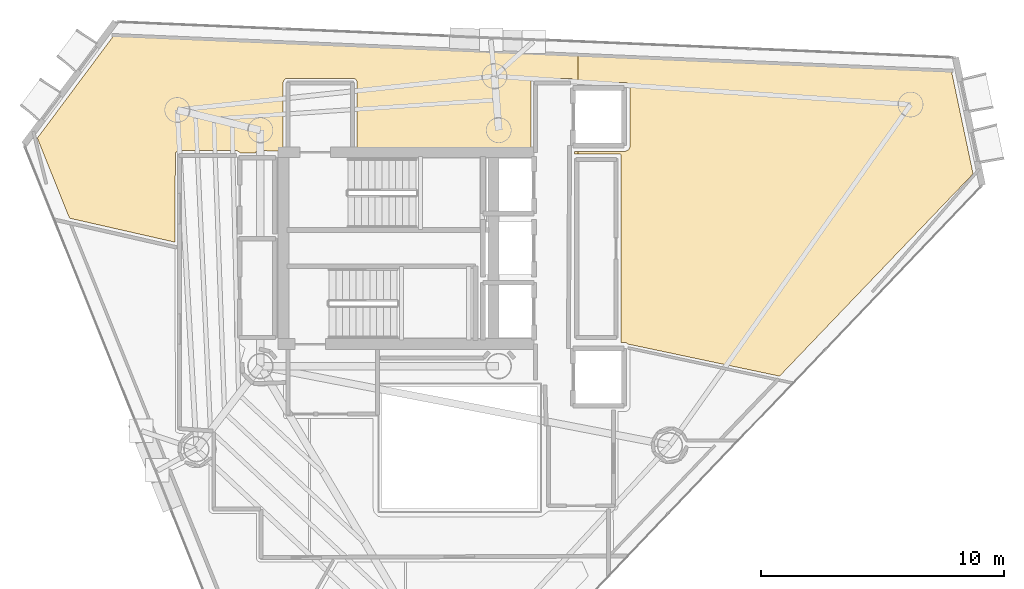
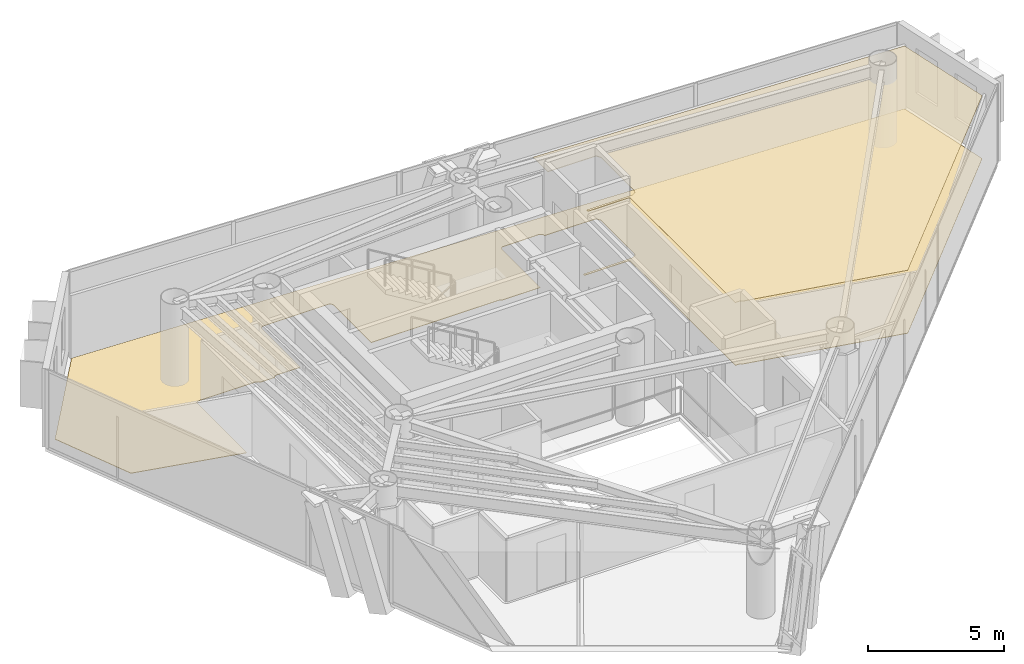
# One storey, part 20 of 21: 2 coverings.
"""IFC4 building model written with IfcOpenShell, lengths in metres."""

from ifc_helpers import new_model, si_unit, direction, frame, origin, place, context, subcontext, project, spatial, polyline, outline, extrude, material, layer, layer_set, type_object, element, save


model = new_model("IFC4")

# Units and contexts
model_context = context("Model", 3, precision=1e-05, world=origin(), true_north=direction((0.0, 1.0)))
body_context = subcontext(model_context, "Body", "Model", "MODEL_VIEW")
ifc_project = project(units=[si_unit("LENGTHUNIT", "METRE"), si_unit("AREAUNIT", "SQUARE_METRE"), si_unit("VOLUMEUNIT", "CUBIC_METRE"), si_unit("PLANEANGLEUNIT", "RADIAN"), si_unit("MASSUNIT", "GRAM", prefix="KILO")], contexts=[model_context])

# Site, building, storey
site_placement = place(None, origin())
site = spatial("IfcSite", under=ifc_project, at=site_placement, CompositionType="ELEMENT")
building_placement = place(site_placement, origin())
building = spatial("IfcBuilding", under=site, at=building_placement, Name="Qianvela Tower", CompositionType="ELEMENT")
storey_placement = place(building_placement, frame((0.0, 0.0, 242.699951171875)))
storey = spatial("IfcBuildingStorey", under=building, at=storey_placement, Name="L62", CompositionType="ELEMENT", Elevation=242.699951171875)

# Coverings
ifc_material_1 = material(Name="Perforated Mineral Acoustic Ceiling Tile")
ifc_layer_1 = layer(ifc_material_1, 0.02490234375)
ifc_layer_set_1 = layer_set([ifc_layer_1], Name="Perforated Mineral Acoustic Ceiling Tile")
covering_type_1 = type_object("IfcCoveringType", Name="COV-CEIL-ACOUSTIC-25", PredefinedType="CEILING", material=ifc_layer_set_1)
covering_1_placement = place(storey_placement, frame((0.0, 0.0, 2.81494140625)))
element("IfcCovering", 1, at=covering_1_placement, inside=storey, type_object=covering_type_1, Name="L62 Acoustic Ceiling Bay 2 Maker Craft Workshop L62-05", PredefinedType="CEILING", context=body_context, shape_type="SweptSolid", body=[
    extrude(outline(polyline([(57.019775390625, 35.943359375), (57.901611328125, 31.7578125), (49.94482421875, 23.439453125), (43.714599609375, 24.75732421875), (43.655029296875, 24.801513671875), (43.64794921875, 24.80615234375), (43.640380859375, 24.81005859375), (43.632568359375, 24.813232421875), (43.62451171875, 24.8154296875), (43.6162109375, 24.81689453125), (43.607666015625, 24.8173828125), (43.42333984375, 24.818115234375), (43.423828125, 24.8193359375), (43.426513671875, 24.826904296875), (43.428466796875, 24.83447265625), (43.4296875, 24.84228515625), (43.429931640625, 24.85009765625), (43.429931640625, 32.5), (43.4296875, 32.5078125), (43.428466796875, 32.515625), (43.426513671875, 32.523193359375), (43.423828125, 32.530517578125), (43.420654296875, 32.53759765625), (43.41650390625, 32.54443359375), (43.411865234375, 32.55078125), (43.406494140625, 32.556640625), (43.40087890625, 32.561767578125), (43.394287109375, 32.56640625), (43.3876953125, 32.570556640625), (43.380615234375, 32.573974609375), (43.373291015625, 32.57666015625), (43.365478515625, 32.57861328125), (43.35791015625, 32.57958984375), (43.35009765625, 32.580078125), (41.65625, 32.580078125), (41.65625, 32.679931640625), (43.580078125, 32.679931640625), (43.587158203125, 32.680419921875), (43.593994140625, 32.68115234375), (43.60107421875, 32.682861328125), (43.607666015625, 32.684814453125), (43.6142578125, 32.687744140625), (43.722412109375, 32.739013671875), (43.729248046875, 32.74267578125), (43.73583984375, 32.746826171875), (43.741943359375, 32.751953125), (43.74755859375, 32.757568359375), (43.75244140625, 32.763427734375), (43.7568359375, 32.77001953125), (43.760498046875, 32.777099609375), (43.763427734375, 32.7841796875), (43.79541015625, 32.873046875), (43.7978515625, 32.8818359375), (43.799560546875, 32.890869140625), (43.800048828125, 32.89990234375), (43.800048828125, 35.300048828125), (43.7998046875, 35.30712890625), (43.798583984375, 35.314208984375), (43.797119140625, 35.3212890625), (43.794921875, 35.328125), (43.7919921875, 35.334716796875), (43.78857421875, 35.341064453125), (43.714599609375, 35.464599609375), (43.710205078125, 35.471435546875), (43.704833984375, 35.477783203125), (43.698974609375, 35.4833984375), (43.692626953125, 35.488525390625), (43.685791015625, 35.492919921875), (43.678466796875, 35.49658203125), (43.670654296875, 35.49951171875), (43.662841796875, 35.501708984375), (43.65478515625, 35.5029296875), (43.646484375, 35.50341796875), (41.65625, 35.518310546875), (41.65625, 36.59619140625), (57.019775390625, 35.943359375)])), origin(), (0.0, 0.0, 1.0), 0.025146484375),
])
ifc_material_2 = material(Name="Engineered Acoustic Oak Timber Flooring", Category="wood")
ifc_layer_2 = layer(ifc_material_2, 0.02001953125)
ifc_layer_set_2 = layer_set([ifc_layer_2], Name="Engineered Acoustic Oak Timber Flooring")
covering_type_2 = type_object("IfcCoveringType", Name="COV-FLOOR-OAK-20", PredefinedType="FLOORING", material=ifc_layer_set_2)
covering_2_placement = place(storey_placement, origin())
element("IfcCovering", 2, at=covering_2_placement, inside=storey, type_object=covering_type_2, Name="L62 Finish Flooring Maker Craft Workshop L62-05", PredefinedType="FLOORING", context=body_context, shape_type="SweptSolid", body=[
    extrude(outline(polyline([(29.5400390625, 32.700439453125), (28.54296875, 32.709716796875), (28.53662109375, 32.70947265625), (28.530029296875, 32.708740234375), (28.4677734375, 32.69921875), (28.460205078125, 32.697509765625), (28.452880859375, 32.6953125), (28.446044921875, 32.6923828125), (28.439208984375, 32.688720703125), (28.432861328125, 32.6845703125), (28.427001953125, 32.6796875), (28.42138671875, 32.674560546875), (28.41650390625, 32.668701171875), (28.412109375, 32.662353515625), (28.408447265625, 32.65576171875), (28.405517578125, 32.648681640625), (28.403076171875, 32.6416015625), (28.4013671875, 32.634033203125), (28.400390625, 32.62646484375), (28.39892578125, 32.609619140625), (27.7626953125, 32.607666015625), (27.759521484375, 32.6201171875), (27.757080078125, 32.62744140625), (27.754150390625, 32.634765625), (27.75048828125, 32.6416015625), (27.74609375, 32.648193359375), (27.7412109375, 32.654296875), (27.735595703125, 32.659912109375), (27.7294921875, 32.6650390625), (27.722900390625, 32.66943359375), (27.716064453125, 32.673095703125), (27.654296875, 32.702392578125), (27.647705078125, 32.705078125), (27.64111328125, 32.707275390625), (27.634033203125, 32.708740234375), (27.627197265625, 32.709716796875), (27.6201171875, 32.7099609375), (25.25, 32.7099609375), (25.2421875, 32.709716796875), (25.234375, 32.70849609375), (25.226806640625, 32.70654296875), (25.219482421875, 32.703857421875), (25.21240234375, 32.70068359375), (25.145751953125, 32.6650390625), (25.13916015625, 32.660888671875), (25.1328125, 32.65625), (25.126953125, 32.651123046875), (25.12158203125, 32.645263671875), (25.116943359375, 32.638916015625), (25.113037109375, 32.63232421875), (25.109619140625, 32.625244140625), (25.10693359375, 32.617919921875), (25.10498046875, 32.6103515625), (25.10400390625, 32.6025390625), (25.103515625, 32.5947265625), (25.09033203125, 28.947509765625), (20.75390625, 29.93359375), (19.429443359375, 33.22509765625), (22.546630859375, 37.408203125), (57.019775390625, 35.943359375), (57.901611328125, 31.7578125), (49.94482421875, 23.439453125), (43.714599609375, 24.75732421875), (43.655029296875, 24.801513671875), (43.64794921875, 24.80615234375), (43.640380859375, 24.81005859375), (43.632568359375, 24.813232421875), (43.62451171875, 24.8154296875), (43.6162109375, 24.81689453125), (43.607666015625, 24.8173828125), (43.42333984375, 24.818115234375), (43.423828125, 24.8193359375), (43.426513671875, 24.826904296875), (43.428466796875, 24.83447265625), (43.4296875, 24.84228515625), (43.429931640625, 24.85009765625), (43.429931640625, 32.5), (43.4296875, 32.5078125), (43.428466796875, 32.515625), (43.426513671875, 32.523193359375), (43.423828125, 32.530517578125), (43.420654296875, 32.53759765625), (43.41650390625, 32.54443359375), (43.411865234375, 32.55078125), (43.406494140625, 32.556640625), (43.40087890625, 32.561767578125), (43.394287109375, 32.56640625), (43.3876953125, 32.570556640625), (43.380615234375, 32.573974609375), (43.373291015625, 32.57666015625), (43.365478515625, 32.57861328125), (43.35791015625, 32.57958984375), (43.35009765625, 32.580078125), (41.52001953125, 32.580078125), (41.52001953125, 32.679931640625), (43.580078125, 32.679931640625), (43.587158203125, 32.680419921875), (43.593994140625, 32.68115234375), (43.60107421875, 32.682861328125), (43.607666015625, 32.684814453125), (43.6142578125, 32.687744140625), (43.722412109375, 32.739013671875), (43.729248046875, 32.74267578125), (43.73583984375, 32.746826171875), (43.741943359375, 32.751953125), (43.74755859375, 32.757568359375), (43.75244140625, 32.763427734375), (43.7568359375, 32.77001953125), (43.760498046875, 32.777099609375), (43.763427734375, 32.7841796875), (43.79541015625, 32.873046875), (43.7978515625, 32.8818359375), (43.799560546875, 32.890869140625), (43.800048828125, 32.89990234375), (43.800048828125, 35.300048828125), (43.7998046875, 35.30712890625), (43.798583984375, 35.314208984375), (43.797119140625, 35.3212890625), (43.794921875, 35.328125), (43.7919921875, 35.334716796875), (43.78857421875, 35.341064453125), (43.714599609375, 35.464599609375), (43.710205078125, 35.471435546875), (43.704833984375, 35.477783203125), (43.698974609375, 35.4833984375), (43.692626953125, 35.488525390625), (43.685791015625, 35.492919921875), (43.678466796875, 35.49658203125), (43.670654296875, 35.49951171875), (43.662841796875, 35.501708984375), (43.65478515625, 35.5029296875), (43.646484375, 35.50341796875), (41.513916015625, 35.519287109375), (41.51025390625, 35.564208984375), (41.50927734375, 35.57177734375), (41.5078125, 35.5791015625), (41.50537109375, 35.586181640625), (41.502197265625, 35.59326171875), (41.49853515625, 35.599853515625), (41.494140625, 35.606201171875), (41.4892578125, 35.612060546875), (41.48388671875, 35.6171875), (41.47802734375, 35.6220703125), (41.4716796875, 35.626220703125), (41.401123046875, 35.668701171875), (41.394775390625, 35.672119140625), (41.387939453125, 35.675048828125), (41.381103515625, 35.67724609375), (41.373779296875, 35.6787109375), (41.36669921875, 35.6796875), (41.359375, 35.679931640625), (39.834716796875, 35.66650390625), (39.8271484375, 35.666015625), (39.8193359375, 35.664794921875), (39.811767578125, 35.662841796875), (39.804443359375, 35.660400390625), (39.797607421875, 35.656982421875), (39.790771484375, 35.65283203125), (39.78466796875, 35.648193359375), (39.77880859375, 35.642822265625), (39.773681640625, 35.63720703125), (39.76904296875, 35.630859375), (39.764892578125, 35.624267578125), (39.7294921875, 35.5576171875), (39.72607421875, 35.550537109375), (39.723388671875, 35.543212890625), (39.721435546875, 35.53564453125), (39.720458984375, 35.52783203125), (39.719970703125, 35.52001953125), (39.719970703125, 32.719970703125), (38.125, 32.719970703125), (38.03369140625, 32.762451171875), (38.025634765625, 32.765625), (38.017333984375, 32.76806640625), (38.0087890625, 32.76953125), (38.0, 32.77001953125), (32.580078125, 32.77001953125), (32.580078125, 35.52001953125), (32.57958984375, 35.52783203125), (32.57861328125, 35.53564453125), (32.57666015625, 35.543212890625), (32.573974609375, 35.550537109375), (32.550537109375, 35.607177734375), (32.547119140625, 35.6142578125), (32.543212890625, 35.62109375), (32.538330078125, 35.627197265625), (32.533203125, 35.633056640625), (32.52734375, 35.638427734375), (32.52099609375, 35.64306640625), (32.514404296875, 35.647216796875), (32.507080078125, 35.650390625), (32.45068359375, 35.673828125), (32.443115234375, 35.676513671875), (32.435546875, 35.678466796875), (32.427490234375, 35.6796875), (32.419677734375, 35.679931640625), (29.662109375, 35.670654296875), (29.65380859375, 35.670166015625), (29.645751953125, 35.668701171875), (29.6376953125, 35.666748046875), (29.630126953125, 35.663818359375), (29.622802734375, 35.66015625), (29.61572265625, 35.65576171875), (29.609375, 35.650634765625), (29.603515625, 35.644775390625), (29.59814453125, 35.638427734375), (29.59375, 35.631591796875), (29.551513671875, 35.56103515625), (29.548095703125, 35.5546875), (29.545166015625, 35.548095703125), (29.54296875, 35.541259765625), (29.541259765625, 35.5341796875), (29.540283203125, 35.527099609375), (29.5400390625, 35.52001953125), (29.5400390625, 32.700439453125)])), origin(), (0.0, 0.0, 1.0), 0.02001953125),
])

save(model, "model.ifc")
